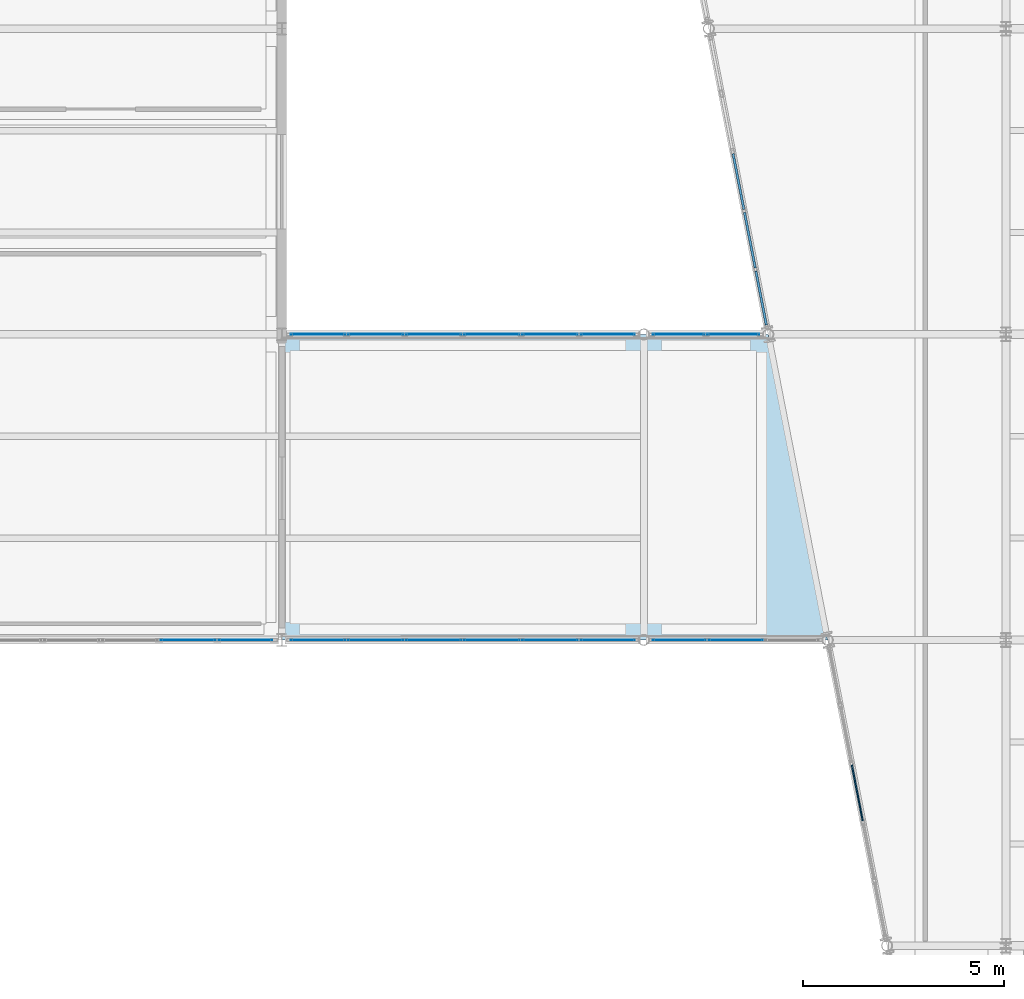
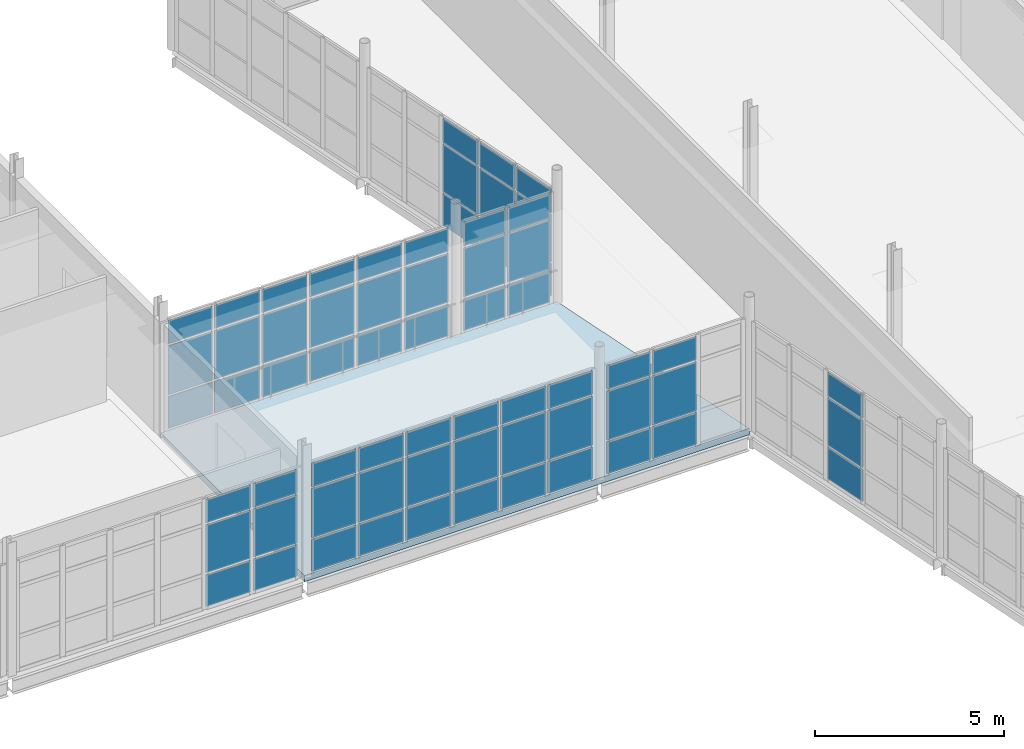
# One storey, part 139 of 174: 66 plates, 1 slab, 7 elements without a shape of their own.
"""IFC4 building model written with IfcOpenShell, lengths in metres."""

import ifcopenshell
import ifcopenshell.guid

model = None  # the IFC model being written
_history = None  # IfcOwnerHistory: only IFC2X3 demands one
_inside = {}  # id of a spatial element -> (the spatial element, [elements in it])
_under = {}  # id of a project, library or spatial element -> (it, [spatial elements below it])
_declared = {}  # id of a project -> (the project, [libraries it declares])
_typed = {}  # id of a type object -> (the type object, [elements of that type])
_made_of = {}  # id of a material, layer set ... -> (it, [elements and type objects made of it])


def new_model(schema):
    """Start an empty IFC model of exactly this schema.

    Asked for "IFC4X3", IfcOpenShell would pick the latest addendum, in which some entities
    have other attributes; the version numbers below select the first issue.
    IFC2X3 requires an IfcOwnerHistory on every rooted entity: one is made here for all.
    """
    global model, _history
    if schema == "IFC4X3":
        model = ifcopenshell.file(schema_version=(4, 3, 0, 0))
    else:
        model = ifcopenshell.file(schema=schema)
    _inside.clear()
    _under.clear()
    _declared.clear()
    _typed.clear()
    _made_of.clear()
    _history = None
    if model.schema == "IFC2X3":
        org = make("IfcOrganization", Name="unknown")
        user = make(
            "IfcPersonAndOrganization",
            ThePerson=make("IfcPerson", FamilyName="unknown"),
            TheOrganization=org,
        )
        app = make(
            "IfcApplication",
            ApplicationDeveloper=org,
            Version="unknown",
            ApplicationFullName="unknown",
            ApplicationIdentifier="unknown",
        )
        _history = make(
            "IfcOwnerHistory",
            OwningUser=user,
            OwningApplication=app,
            ChangeAction="ADDED",
            CreationDate=0,
        )
    return model


def make(cls, **values):
    """One entity of the class cls with the attributes given. An attribute that is None is left unset."""
    return model.create_entity(
        cls, **{name: value for name, value in values.items() if value is not None}
    )


def rooted(cls, **values):
    """An entity with a GlobalId (a new one), such as an element, a storey or a relation."""
    return make(cls, GlobalId=ifcopenshell.guid.new(), OwnerHistory=_history, **values)


def si_unit(unit_type, name, prefix=None):
    """IfcSIUnit, for example si_unit("LENGTHUNIT", "METRE", prefix="MILLI")."""
    return make("IfcSIUnit", UnitType=unit_type, Prefix=prefix, Name=name)


def assignment(units):
    """IfcUnitAssignment: the units of a project."""
    return None if units is None else make("IfcUnitAssignment", Units=units)


def point(xyz):
    """IfcCartesianPoint."""
    return None if xyz is None else make("IfcCartesianPoint", Coordinates=xyz)


def direction(xyz):
    """IfcDirection."""
    return None if xyz is None else make("IfcDirection", DirectionRatios=xyz)


def frame(location, z_axis=None, x_axis=None):
    """IfcAxis2Placement3D, a coordinate frame: its origin and axes. An axis left out is left unset."""
    return make(
        "IfcAxis2Placement3D",
        Location=point(location),
        Axis=direction(z_axis),
        RefDirection=direction(x_axis),
    )


def frame_2d(location, x_axis=None):
    """IfcAxis2Placement2D, a coordinate frame in the plane: its origin and x axis."""
    return make(
        "IfcAxis2Placement2D", Location=point(location), RefDirection=direction(x_axis)
    )


def origin():
    """The frame at (0, 0, 0) with its axes left unset."""
    return frame((0.0, 0.0, 0.0))


def origin_2d():
    """The frame at (0, 0) in the plane with its x axis left unset."""
    return frame_2d((0.0, 0.0))


def place(relative_to, where):
    """IfcLocalPlacement: puts the frame where relative to a parent placement (None: the world)."""
    return make(
        "IfcLocalPlacement", PlacementRelTo=relative_to, RelativePlacement=where
    )


def context(
    kind, dimensions, precision=None, world=None, true_north=None, identifier=None
):
    """IfcGeometricRepresentationContext, for example the 3D "Model" context."""
    return make(
        "IfcGeometricRepresentationContext",
        ContextIdentifier=identifier,
        ContextType=kind,
        CoordinateSpaceDimension=dimensions,
        Precision=precision,
        WorldCoordinateSystem=world,
        TrueNorth=true_north,
    )


def subcontext(parent, identifier, kind, view, scale=None):
    """IfcGeometricRepresentationSubContext, for example "Body" below "Model"."""
    return make(
        "IfcGeometricRepresentationSubContext",
        ContextIdentifier=identifier,
        ContextType=kind,
        ParentContext=parent,
        TargetScale=scale,
        TargetView=view,
    )


def project(units=None, contexts=None):
    """IfcProject with its units and contexts."""
    return rooted(
        "IfcProject",
        Name="project",
        RepresentationContexts=contexts,
        UnitsInContext=assignment(units),
    )


def spatial(cls, under=None, at=None, **own):
    """A site, building, storey or space (cls), placed at a placement, below another one or the project."""
    s = rooted(cls, ObjectPlacement=at, **own)
    if under is not None:
        _under.setdefault(under.id(), (under, []))[1].append(s)
    return s


def polyline(points):
    """IfcPolyline through the points."""
    return make("IfcPolyline", Points=[point(p) for p in points])


def profile(cls, at=None, kind="AREA", **sizes):
    """A parametric profile (cls). Its sizes go by their IFC names, for example OverallWidth=200.0."""
    return make(cls, ProfileType=kind, Position=at, **sizes)


def rectangle(**sizes):
    """IfcRectangleProfileDef."""
    return profile("IfcRectangleProfileDef", **sizes)


def outline(outer, holes=None, kind="AREA"):
    """IfcArbitraryClosedProfileDef: a profile drawn as a closed curve; with holes, ...WithVoids."""
    if holes is None:
        return make("IfcArbitraryClosedProfileDef", ProfileType=kind, OuterCurve=outer)
    return make(
        "IfcArbitraryProfileDefWithVoids",
        ProfileType=kind,
        OuterCurve=outer,
        InnerCurves=holes,
    )


def extrude(swept, where, along, depth):
    """IfcExtrudedAreaSolid: the profile swept, set in the frame where, extruded along a direction by depth."""
    return make(
        "IfcExtrudedAreaSolid",
        SweptArea=swept,
        Position=where,
        ExtrudedDirection=direction(along),
        Depth=depth,
    )


def shape(context_of_items, identifier, shape_type, items):
    """IfcShapeRepresentation: the items that make up one representation, for example the "Body"."""
    return make(
        "IfcShapeRepresentation",
        ContextOfItems=context_of_items,
        RepresentationIdentifier=identifier,
        RepresentationType=shape_type,
        Items=items,
    )


def material(Name=None, Category=None):
    """IfcMaterial."""
    return make("IfcMaterial", Name=Name, Category=Category)


def layer(
    of_material, thickness, ventilated=None, Name=None, Category=None, Priority=None
):
    """IfcMaterialLayer: one layer of a wall or slab, of a material (None: an air gap)."""
    return make(
        "IfcMaterialLayer",
        Material=of_material,
        LayerThickness=thickness,
        IsVentilated=ventilated,
        Name=Name,
        Category=Category,
        Priority=Priority,
    )


def layer_set(layers, Name=None):
    """IfcMaterialLayerSet."""
    return make("IfcMaterialLayerSet", MaterialLayers=layers, LayerSetName=Name)


def made_of(thing, what):
    """Note that an element or type object is made of a material, layer set ...; save() writes the relation."""
    if what is not None:
        _made_of.setdefault(what.id(), (what, []))[1].append(thing)
    return thing


def type_object(cls, material=None, **own):
    """A type object (cls), such as IfcWallType, which elements share."""
    return made_of(rooted(cls, **own), material)


def element(
    cls,
    number,
    at=None,
    inside=None,
    cuts=None,
    type_object=None,
    material=None,
    context=None,
    identifier="Body",
    shape_type=None,
    held_by="IfcProductDefinitionShape",
    body=None,
    shapes=None,
    **own,
):
    """One element of the class cls, such as IfcWall. Its Tag is "e" and its number.

    at: its placement. inside: the storey or other place that contains it. cuts: it is an
    opening in that element (IfcRelVoidsElement). A single representation is given by context,
    identifier, shape_type and body (its items); several are given by shapes. held_by: the class
    of the entity that holds the representations. save() writes the other relations.
    """
    e = rooted(cls, Tag="e%d" % number, ObjectPlacement=at, **own)
    if body is not None:
        shapes = [shape(context, identifier, shape_type, body)]
    if shapes is not None:
        e.Representation = make(held_by, Representations=shapes)
    if inside is not None:
        _inside.setdefault(inside.id(), (inside, []))[1].append(e)
    if cuts is not None:
        rooted(
            "IfcRelVoidsElement", RelatingBuildingElement=cuts, RelatedOpeningElement=e
        )
    if type_object is not None:
        _typed.setdefault(type_object.id(), (type_object, []))[1].append(e)
    return made_of(e, material)


def aggregate(whole, parts):
    """IfcRelAggregates: a whole, such as a stair, and the parts it consists of."""
    return rooted("IfcRelAggregates", RelatingObject=whole, RelatedObjects=parts)


def save(model, path):
    """Write the relations noted so far, then the file.

    IfcRelAggregates (storeys below a building ...), IfcRelContainedInSpatialStructure (elements
    in a storey), IfcRelDefinesByType, IfcRelAssociatesMaterial and IfcRelDeclares: one each for
    every whole, place, type object, material and project.
    """
    for whole, parts in _under.values():
        aggregate(whole, parts)
    for where, things in _inside.values():
        rooted(
            "IfcRelContainedInSpatialStructure",
            RelatedElements=things,
            RelatingStructure=where,
        )
    for kind, things in _typed.values():
        rooted("IfcRelDefinesByType", RelatedObjects=things, RelatingType=kind)
    for what, things in _made_of.values():
        rooted("IfcRelAssociatesMaterial", RelatedObjects=things, RelatingMaterial=what)
    for by, libraries in _declared.values():
        rooted("IfcRelDeclares", RelatingContext=by, RelatedDefinitions=libraries)
    model.write(path)


model = new_model("IFC4")

# Units and contexts
model_context = context("Model", 3, precision=1e-05, world=origin(), true_north=direction((0.0, 1.0)))
body_context = subcontext(model_context, "Body", "Model", "MODEL_VIEW")
ifc_project = project(units=[si_unit("LENGTHUNIT", "METRE"), si_unit("AREAUNIT", "SQUARE_METRE"), si_unit("VOLUMEUNIT", "CUBIC_METRE"), si_unit("PLANEANGLEUNIT", "RADIAN"), si_unit("MASSUNIT", "GRAM", prefix="KILO")], contexts=[model_context])

# Site, building, storey
site_placement = place(None, origin())
site = spatial("IfcSite", under=ifc_project, at=site_placement, CompositionType="ELEMENT")
building_placement = place(site_placement, origin())
building = spatial("IfcBuilding", under=site, at=building_placement, Name="Caisbarro Railhouse Central Library", CompositionType="ELEMENT")
storey_placement = place(building_placement, frame((0.0, 0.0, 5.0400390625)))
storey = spatial("IfcBuildingStorey", under=building, at=storey_placement, Name="L01", CompositionType="ELEMENT", Elevation=5.0400390625)

# Curtain wall, plates
ifc_material_1 = material(Name="Anodised architectural aluminium", Category="aluminium")
curtain_wall_type_1 = type_object("IfcCurtainWallType", Name="CW-CW02", PredefinedType="NOTDEFINED", material=ifc_material_1)
curtain_wall_1_placement = place(storey_placement, origin())
curtain_wall_1 = element("IfcCurtainWall", 1, at=curtain_wall_1_placement, inside=storey, type_object=curtain_wall_type_1, Name="CW02 curtain wall L01 #178", PredefinedType="NOTDEFINED")
ifc_material_2 = material(Name="Double low-e laminated solar-control glass", Category="glass")
ifc_layer_1 = layer(ifc_material_2, 0.01806640625, Name="Double low-e laminated solar-control glass")
ifc_layer_set_1 = layer_set([ifc_layer_1], Name="Double low-e laminated solar-control glass")
plate_type_1 = type_object("IfcPlateType", Name="CWP-CP18", PredefinedType="CURTAIN_PANEL", material=ifc_layer_set_1)
plate_1_placement = place(storey_placement, frame((96.669921875, 83.60009765625, 0.06494140625), z_axis=(0.0, 0.0, 1.0), x_axis=(1.0, 0.0, 0.0)))
plate_1 = element("IfcPlate", 2, at=plate_1_placement, type_object=plate_type_1, Name="CW02 panel 5.1", PredefinedType="CURTAIN_PANEL", context=body_context, shape_type="SweptSolid", body=[
    extrude(rectangle(XDim=1.37158203125, YDim=0.01806640625, at=origin_2d()), origin(), (0.0, 0.0, 1.0), 1.0224609375),
])
plate_2_placement = place(storey_placement, frame((96.669921875, 83.60009765625, 1.152587890625), z_axis=(0.0, 0.0, 1.0), x_axis=(1.0, 0.0, 0.0)))
plate_2 = element("IfcPlate", 3, at=plate_2_placement, type_object=plate_type_1, Name="CW02 panel 5.2", PredefinedType="CURTAIN_PANEL", context=body_context, shape_type="SweptSolid", body=[
    extrude(rectangle(XDim=1.37158203125, YDim=0.01806640625, at=origin_2d()), origin(), (0.0, 0.0, 1.0), 1.544921875),
])
plate_3_placement = place(storey_placement, frame((96.669921875, 83.60009765625, 2.762451171875), z_axis=(0.0, 0.0, 1.0), x_axis=(1.0, 0.0, 0.0)))
plate_3 = element("IfcPlate", 4, at=plate_3_placement, type_object=plate_type_1, Name="CW02 panel 5.3", PredefinedType="CURTAIN_PANEL", context=body_context, shape_type="SweptSolid", body=[
    extrude(rectangle(XDim=1.37158203125, YDim=0.01806640625, at=origin_2d()), origin(), (0.0, 0.0, 1.0), 0.75244140625),
])
plate_4_placement = place(storey_placement, frame((98.097900390625, 83.60009765625, 0.06494140625), z_axis=(0.0, 0.0, 1.0), x_axis=(1.0, 0.0, 0.0)))
plate_4 = element("IfcPlate", 5, at=plate_4_placement, type_object=plate_type_1, Name="CW02 panel 6.1", PredefinedType="CURTAIN_PANEL", context=body_context, shape_type="SweptSolid", body=[
    extrude(rectangle(XDim=1.334228515625, YDim=0.01806640625, at=origin_2d()), origin(), (0.0, 0.0, 1.0), 1.0224609375),
])
plate_5_placement = place(storey_placement, frame((98.097900390625, 83.60009765625, 1.152587890625), z_axis=(0.0, 0.0, 1.0), x_axis=(1.0, 0.0, 0.0)))
plate_5 = element("IfcPlate", 6, at=plate_5_placement, type_object=plate_type_1, Name="CW02 panel 6.2", PredefinedType="CURTAIN_PANEL", context=body_context, shape_type="SweptSolid", body=[
    extrude(rectangle(XDim=1.334228515625, YDim=0.01806640625, at=origin_2d()), origin(), (0.0, 0.0, 1.0), 1.544921875),
])
plate_6_placement = place(storey_placement, frame((98.097900390625, 83.60009765625, 2.762451171875), z_axis=(0.0, 0.0, 1.0), x_axis=(1.0, 0.0, 0.0)))
plate_6 = element("IfcPlate", 7, at=plate_6_placement, type_object=plate_type_1, Name="CW02 panel 6.3", PredefinedType="CURTAIN_PANEL", context=body_context, shape_type="SweptSolid", body=[
    extrude(rectangle(XDim=1.334228515625, YDim=0.01806640625, at=origin_2d()), origin(), (0.0, 0.0, 1.0), 0.75244140625),
])
aggregate(curtain_wall_1, [plate_1, plate_2, plate_3, plate_4, plate_5, plate_6])

curtain_wall_type_2 = type_object("IfcCurtainWallType", Name="CW-CW03", PredefinedType="NOTDEFINED", material=ifc_material_1)
curtain_wall_2_placement = place(storey_placement, origin())
curtain_wall_2 = element("IfcCurtainWall", 8, at=curtain_wall_2_placement, inside=storey, type_object=curtain_wall_type_2, Name="CW03 curtain wall L01 #198", PredefinedType="NOTDEFINED")
plate_7_placement = place(storey_placement, frame((99.899658203125, 83.60009765625, 0.06494140625), z_axis=(0.0, 0.0, 1.0), x_axis=(1.0, 0.0, 0.0)))
plate_7 = element("IfcPlate", 9, at=plate_7_placement, type_object=plate_type_1, Name="CW03 panel 1.1", PredefinedType="CURTAIN_PANEL", context=body_context, shape_type="SweptSolid", body=[
    extrude(rectangle(XDim=1.34912109375, YDim=0.01806640625, at=origin_2d()), origin(), (0.0, 0.0, 1.0), 1.0224609375),
])
plate_8_placement = place(storey_placement, frame((99.899658203125, 83.60009765625, 1.15234375), z_axis=(0.0, 0.0, 1.0), x_axis=(1.0, 0.0, 0.0)))
plate_8 = element("IfcPlate", 10, at=plate_8_placement, type_object=plate_type_1, Name="CW03 panel 1.2", PredefinedType="CURTAIN_PANEL", context=body_context, shape_type="SweptSolid", body=[
    extrude(rectangle(XDim=1.34912109375, YDim=0.01806640625, at=origin_2d()), origin(), (0.0, 0.0, 1.0), 1.574951171875),
])
plate_9_placement = place(storey_placement, frame((99.899658203125, 83.60009765625, 2.79248046875), z_axis=(0.0, 0.0, 1.0), x_axis=(1.0, 0.0, 0.0)))
plate_9 = element("IfcPlate", 11, at=plate_9_placement, type_object=plate_type_1, Name="CW03 panel 1.3", PredefinedType="CURTAIN_PANEL", context=body_context, shape_type="SweptSolid", body=[
    extrude(rectangle(XDim=1.34912109375, YDim=0.01806640625, at=origin_2d()), origin(), (0.0, 0.0, 1.0), 0.75244140625),
])
plate_10_placement = place(storey_placement, frame((101.330078125, 83.60009765625, 0.06494140625), z_axis=(0.0, 0.0, 1.0), x_axis=(1.0, 0.0, 0.0)))
plate_10 = element("IfcPlate", 12, at=plate_10_placement, type_object=plate_type_1, Name="CW03 panel 2.1", PredefinedType="CURTAIN_PANEL", context=body_context, shape_type="SweptSolid", body=[
    extrude(rectangle(XDim=1.381591796875, YDim=0.01806640625, at=origin_2d()), origin(), (0.0, 0.0, 1.0), 1.0224609375),
])
plate_11_placement = place(storey_placement, frame((101.330078125, 83.60009765625, 1.15234375), z_axis=(0.0, 0.0, 1.0), x_axis=(1.0, 0.0, 0.0)))
plate_11 = element("IfcPlate", 13, at=plate_11_placement, type_object=plate_type_1, Name="CW03 panel 2.2", PredefinedType="CURTAIN_PANEL", context=body_context, shape_type="SweptSolid", body=[
    extrude(rectangle(XDim=1.381591796875, YDim=0.01806640625, at=origin_2d()), origin(), (0.0, 0.0, 1.0), 1.574951171875),
])
plate_12_placement = place(storey_placement, frame((101.330078125, 83.60009765625, 2.79248046875), z_axis=(0.0, 0.0, 1.0), x_axis=(1.0, 0.0, 0.0)))
plate_12 = element("IfcPlate", 14, at=plate_12_placement, type_object=plate_type_1, Name="CW03 panel 2.3", PredefinedType="CURTAIN_PANEL", context=body_context, shape_type="SweptSolid", body=[
    extrude(rectangle(XDim=1.381591796875, YDim=0.01806640625, at=origin_2d()), origin(), (0.0, 0.0, 1.0), 0.75244140625),
])
plate_13_placement = place(storey_placement, frame((102.776611328125, 83.60009765625, 0.06494140625), z_axis=(0.0, 0.0, 1.0), x_axis=(1.0, 0.0, 0.0)))
plate_13 = element("IfcPlate", 15, at=plate_13_placement, type_object=plate_type_1, Name="CW03 panel 3.1", PredefinedType="CURTAIN_PANEL", context=body_context, shape_type="SweptSolid", body=[
    extrude(rectangle(XDim=1.381591796875, YDim=0.01806640625, at=origin_2d()), origin(), (0.0, 0.0, 1.0), 1.0224609375),
])
plate_14_placement = place(storey_placement, frame((102.776611328125, 83.60009765625, 1.15234375), z_axis=(0.0, 0.0, 1.0), x_axis=(1.0, 0.0, 0.0)))
plate_14 = element("IfcPlate", 16, at=plate_14_placement, type_object=plate_type_1, Name="CW03 panel 3.2", PredefinedType="CURTAIN_PANEL", context=body_context, shape_type="SweptSolid", body=[
    extrude(rectangle(XDim=1.381591796875, YDim=0.01806640625, at=origin_2d()), origin(), (0.0, 0.0, 1.0), 1.574951171875),
])
plate_15_placement = place(storey_placement, frame((102.776611328125, 83.60009765625, 2.79248046875), z_axis=(0.0, 0.0, 1.0), x_axis=(1.0, 0.0, 0.0)))
plate_15 = element("IfcPlate", 17, at=plate_15_placement, type_object=plate_type_1, Name="CW03 panel 3.3", PredefinedType="CURTAIN_PANEL", context=body_context, shape_type="SweptSolid", body=[
    extrude(rectangle(XDim=1.381591796875, YDim=0.01806640625, at=origin_2d()), origin(), (0.0, 0.0, 1.0), 0.75244140625),
])
plate_16_placement = place(storey_placement, frame((104.223388671875, 83.60009765625, 0.06494140625), z_axis=(0.0, 0.0, 1.0), x_axis=(1.0, 0.0, 0.0)))
plate_16 = element("IfcPlate", 18, at=plate_16_placement, type_object=plate_type_1, Name="CW03 panel 4.1", PredefinedType="CURTAIN_PANEL", context=body_context, shape_type="SweptSolid", body=[
    extrude(rectangle(XDim=1.381591796875, YDim=0.01806640625, at=origin_2d()), origin(), (0.0, 0.0, 1.0), 1.0224609375),
])
plate_17_placement = place(storey_placement, frame((104.223388671875, 83.60009765625, 1.15234375), z_axis=(0.0, 0.0, 1.0), x_axis=(1.0, 0.0, 0.0)))
plate_17 = element("IfcPlate", 19, at=plate_17_placement, type_object=plate_type_1, Name="CW03 panel 4.2", PredefinedType="CURTAIN_PANEL", context=body_context, shape_type="SweptSolid", body=[
    extrude(rectangle(XDim=1.381591796875, YDim=0.01806640625, at=origin_2d()), origin(), (0.0, 0.0, 1.0), 1.574951171875),
])
plate_18_placement = place(storey_placement, frame((104.223388671875, 83.60009765625, 2.79248046875), z_axis=(0.0, 0.0, 1.0), x_axis=(1.0, 0.0, 0.0)))
plate_18 = element("IfcPlate", 20, at=plate_18_placement, type_object=plate_type_1, Name="CW03 panel 4.3", PredefinedType="CURTAIN_PANEL", context=body_context, shape_type="SweptSolid", body=[
    extrude(rectangle(XDim=1.381591796875, YDim=0.01806640625, at=origin_2d()), origin(), (0.0, 0.0, 1.0), 0.75244140625),
])
plate_19_placement = place(storey_placement, frame((105.669921875, 83.60009765625, 0.06494140625), z_axis=(0.0, 0.0, 1.0), x_axis=(1.0, 0.0, 0.0)))
plate_19 = element("IfcPlate", 21, at=plate_19_placement, type_object=plate_type_1, Name="CW03 panel 5.1", PredefinedType="CURTAIN_PANEL", context=body_context, shape_type="SweptSolid", body=[
    extrude(rectangle(XDim=1.381591796875, YDim=0.01806640625, at=origin_2d()), origin(), (0.0, 0.0, 1.0), 1.0224609375),
])
plate_20_placement = place(storey_placement, frame((105.669921875, 83.60009765625, 1.15234375), z_axis=(0.0, 0.0, 1.0), x_axis=(1.0, 0.0, 0.0)))
plate_20 = element("IfcPlate", 22, at=plate_20_placement, type_object=plate_type_1, Name="CW03 panel 5.2", PredefinedType="CURTAIN_PANEL", context=body_context, shape_type="SweptSolid", body=[
    extrude(rectangle(XDim=1.381591796875, YDim=0.01806640625, at=origin_2d()), origin(), (0.0, 0.0, 1.0), 1.574951171875),
])
plate_21_placement = place(storey_placement, frame((105.669921875, 83.60009765625, 2.79248046875), z_axis=(0.0, 0.0, 1.0), x_axis=(1.0, 0.0, 0.0)))
plate_21 = element("IfcPlate", 23, at=plate_21_placement, type_object=plate_type_1, Name="CW03 panel 5.3", PredefinedType="CURTAIN_PANEL", context=body_context, shape_type="SweptSolid", body=[
    extrude(rectangle(XDim=1.381591796875, YDim=0.01806640625, at=origin_2d()), origin(), (0.0, 0.0, 1.0), 0.75244140625),
])
plate_22_placement = place(storey_placement, frame((107.100341796875, 83.60009765625, 0.06494140625), z_axis=(0.0, 0.0, 1.0), x_axis=(1.0, 0.0, 0.0)))
plate_22 = element("IfcPlate", 24, at=plate_22_placement, type_object=plate_type_1, Name="CW03 panel 6.1", PredefinedType="CURTAIN_PANEL", context=body_context, shape_type="SweptSolid", body=[
    extrude(rectangle(XDim=1.34912109375, YDim=0.01806640625, at=origin_2d()), origin(), (0.0, 0.0, 1.0), 1.0224609375),
])
plate_23_placement = place(storey_placement, frame((107.100341796875, 83.60009765625, 1.15234375), z_axis=(0.0, 0.0, 1.0), x_axis=(1.0, 0.0, 0.0)))
plate_23 = element("IfcPlate", 25, at=plate_23_placement, type_object=plate_type_1, Name="CW03 panel 6.2", PredefinedType="CURTAIN_PANEL", context=body_context, shape_type="SweptSolid", body=[
    extrude(rectangle(XDim=1.34912109375, YDim=0.01806640625, at=origin_2d()), origin(), (0.0, 0.0, 1.0), 1.574951171875),
])
plate_24_placement = place(storey_placement, frame((107.100341796875, 83.60009765625, 2.79248046875), z_axis=(0.0, 0.0, 1.0), x_axis=(1.0, 0.0, 0.0)))
plate_24 = element("IfcPlate", 26, at=plate_24_placement, type_object=plate_type_1, Name="CW03 panel 6.3", PredefinedType="CURTAIN_PANEL", context=body_context, shape_type="SweptSolid", body=[
    extrude(rectangle(XDim=1.34912109375, YDim=0.01806640625, at=origin_2d()), origin(), (0.0, 0.0, 1.0), 0.75244140625),
])
aggregate(curtain_wall_2, [plate_7, plate_8, plate_9, plate_10, plate_11, plate_12, plate_13, plate_14, plate_15, plate_16, plate_17, plate_18, plate_19, plate_20, plate_21, plate_22, plate_23, plate_24])

curtain_wall_3_placement = place(storey_placement, origin())
curtain_wall_3 = element("IfcCurtainWall", 27, at=curtain_wall_3_placement, inside=storey, type_object=curtain_wall_type_2, Name="CW03 curtain wall L01 #199", PredefinedType="NOTDEFINED")
plate_25_placement = place(storey_placement, frame((108.88427734375, 83.60009765625, 0.06494140625), z_axis=(0.0, 0.0, 1.0), x_axis=(1.0, 0.0, 0.0)))
plate_25 = element("IfcPlate", 28, at=plate_25_placement, type_object=plate_type_1, Name="CW03 panel 1.1", PredefinedType="CURTAIN_PANEL", context=body_context, shape_type="SweptSolid", body=[
    extrude(rectangle(XDim=1.318603515625, YDim=0.01806640625, at=origin_2d()), origin(), (0.0, 0.0, 1.0), 1.0224609375),
])
plate_26_placement = place(storey_placement, frame((108.88427734375, 83.60009765625, 1.15234375), z_axis=(0.0, 0.0, 1.0), x_axis=(1.0, 0.0, 0.0)))
plate_26 = element("IfcPlate", 29, at=plate_26_placement, type_object=plate_type_1, Name="CW03 panel 1.2", PredefinedType="CURTAIN_PANEL", context=body_context, shape_type="SweptSolid", body=[
    extrude(rectangle(XDim=1.318603515625, YDim=0.01806640625, at=origin_2d()), origin(), (0.0, 0.0, 1.0), 1.574951171875),
])
plate_27_placement = place(storey_placement, frame((108.88427734375, 83.60009765625, 2.79248046875), z_axis=(0.0, 0.0, 1.0), x_axis=(1.0, 0.0, 0.0)))
plate_27 = element("IfcPlate", 30, at=plate_27_placement, type_object=plate_type_1, Name="CW03 panel 1.3", PredefinedType="CURTAIN_PANEL", context=body_context, shape_type="SweptSolid", body=[
    extrude(rectangle(XDim=1.318603515625, YDim=0.01806640625, at=origin_2d()), origin(), (0.0, 0.0, 1.0), 0.75244140625),
])
plate_28_placement = place(storey_placement, frame((110.283935546875, 83.60009765625, 0.06494140625), z_axis=(0.0, 0.0, 1.0), x_axis=(1.0, 0.0, 0.0)))
plate_28 = element("IfcPlate", 31, at=plate_28_placement, type_object=plate_type_1, Name="CW03 panel 2.1", PredefinedType="CURTAIN_PANEL", context=body_context, shape_type="SweptSolid", body=[
    extrude(rectangle(XDim=1.35107421875, YDim=0.01806640625, at=origin_2d()), origin(), (0.0, 0.0, 1.0), 1.0224609375),
])
plate_29_placement = place(storey_placement, frame((110.283935546875, 83.60009765625, 1.15234375), z_axis=(0.0, 0.0, 1.0), x_axis=(1.0, 0.0, 0.0)))
plate_29 = element("IfcPlate", 32, at=plate_29_placement, type_object=plate_type_1, Name="CW03 panel 2.2", PredefinedType="CURTAIN_PANEL", context=body_context, shape_type="SweptSolid", body=[
    extrude(rectangle(XDim=1.35107421875, YDim=0.01806640625, at=origin_2d()), origin(), (0.0, 0.0, 1.0), 1.574951171875),
])
plate_30_placement = place(storey_placement, frame((110.283935546875, 83.60009765625, 2.79248046875), z_axis=(0.0, 0.0, 1.0), x_axis=(1.0, 0.0, 0.0)))
plate_30 = element("IfcPlate", 33, at=plate_30_placement, type_object=plate_type_1, Name="CW03 panel 2.3", PredefinedType="CURTAIN_PANEL", context=body_context, shape_type="SweptSolid", body=[
    extrude(rectangle(XDim=1.35107421875, YDim=0.01806640625, at=origin_2d()), origin(), (0.0, 0.0, 1.0), 0.75244140625),
])
aggregate(curtain_wall_3, [plate_25, plate_26, plate_27, plate_28, plate_29, plate_30])

curtain_wall_4_placement = place(storey_placement, origin())
curtain_wall_4 = element("IfcCurtainWall", 34, at=curtain_wall_4_placement, inside=storey, type_object=curtain_wall_type_2, Name="CW03 curtain wall L01 #200", PredefinedType="NOTDEFINED")
plate_31_placement = place(storey_placement, frame((99.899658203125, 91.199951171875, 0.06494140625), z_axis=(0.0, 0.0, 1.0), x_axis=(1.0, 0.0, 0.0)))
plate_31 = element("IfcPlate", 35, at=plate_31_placement, type_object=plate_type_1, Name="CW03 panel 1.1", PredefinedType="CURTAIN_PANEL", context=body_context, shape_type="SweptSolid", body=[
    extrude(rectangle(XDim=1.34912109375, YDim=0.01806640625, at=origin_2d()), origin(), (0.0, 0.0, 1.0), 1.0224609375),
])
plate_32_placement = place(storey_placement, frame((99.899658203125, 91.199951171875, 1.15234375), z_axis=(0.0, 0.0, 1.0), x_axis=(1.0, 0.0, 0.0)))
plate_32 = element("IfcPlate", 36, at=plate_32_placement, type_object=plate_type_1, Name="CW03 panel 1.2", PredefinedType="CURTAIN_PANEL", context=body_context, shape_type="SweptSolid", body=[
    extrude(rectangle(XDim=1.34912109375, YDim=0.01806640625, at=origin_2d()), origin(), (0.0, 0.0, 1.0), 1.574951171875),
])
plate_33_placement = place(storey_placement, frame((99.899658203125, 91.199951171875, 2.79248046875), z_axis=(0.0, 0.0, 1.0), x_axis=(1.0, 0.0, 0.0)))
plate_33 = element("IfcPlate", 37, at=plate_33_placement, type_object=plate_type_1, Name="CW03 panel 1.3", PredefinedType="CURTAIN_PANEL", context=body_context, shape_type="SweptSolid", body=[
    extrude(rectangle(XDim=1.34912109375, YDim=0.01806640625, at=origin_2d()), origin(), (0.0, 0.0, 1.0), 0.75244140625),
])
plate_34_placement = place(storey_placement, frame((101.330078125, 91.199951171875, 0.06494140625), z_axis=(0.0, 0.0, 1.0), x_axis=(1.0, 0.0, 0.0)))
plate_34 = element("IfcPlate", 38, at=plate_34_placement, type_object=plate_type_1, Name="CW03 panel 2.1", PredefinedType="CURTAIN_PANEL", context=body_context, shape_type="SweptSolid", body=[
    extrude(rectangle(XDim=1.381591796875, YDim=0.01806640625, at=origin_2d()), origin(), (0.0, 0.0, 1.0), 1.0224609375),
])
plate_35_placement = place(storey_placement, frame((101.330078125, 91.199951171875, 1.15234375), z_axis=(0.0, 0.0, 1.0), x_axis=(1.0, 0.0, 0.0)))
plate_35 = element("IfcPlate", 39, at=plate_35_placement, type_object=plate_type_1, Name="CW03 panel 2.2", PredefinedType="CURTAIN_PANEL", context=body_context, shape_type="SweptSolid", body=[
    extrude(rectangle(XDim=1.381591796875, YDim=0.01806640625, at=origin_2d()), origin(), (0.0, 0.0, 1.0), 1.574951171875),
])
plate_36_placement = place(storey_placement, frame((101.330078125, 91.199951171875, 2.79248046875), z_axis=(0.0, 0.0, 1.0), x_axis=(1.0, 0.0, 0.0)))
plate_36 = element("IfcPlate", 40, at=plate_36_placement, type_object=plate_type_1, Name="CW03 panel 2.3", PredefinedType="CURTAIN_PANEL", context=body_context, shape_type="SweptSolid", body=[
    extrude(rectangle(XDim=1.381591796875, YDim=0.01806640625, at=origin_2d()), origin(), (0.0, 0.0, 1.0), 0.75244140625),
])
plate_37_placement = place(storey_placement, frame((102.776611328125, 91.199951171875, 0.06494140625), z_axis=(0.0, 0.0, 1.0), x_axis=(1.0, 0.0, 0.0)))
plate_37 = element("IfcPlate", 41, at=plate_37_placement, type_object=plate_type_1, Name="CW03 panel 3.1", PredefinedType="CURTAIN_PANEL", context=body_context, shape_type="SweptSolid", body=[
    extrude(rectangle(XDim=1.381591796875, YDim=0.01806640625, at=origin_2d()), origin(), (0.0, 0.0, 1.0), 1.0224609375),
])
plate_38_placement = place(storey_placement, frame((102.776611328125, 91.199951171875, 1.15234375), z_axis=(0.0, 0.0, 1.0), x_axis=(1.0, 0.0, 0.0)))
plate_38 = element("IfcPlate", 42, at=plate_38_placement, type_object=plate_type_1, Name="CW03 panel 3.2", PredefinedType="CURTAIN_PANEL", context=body_context, shape_type="SweptSolid", body=[
    extrude(rectangle(XDim=1.381591796875, YDim=0.01806640625, at=origin_2d()), origin(), (0.0, 0.0, 1.0), 1.574951171875),
])
plate_39_placement = place(storey_placement, frame((102.776611328125, 91.199951171875, 2.79248046875), z_axis=(0.0, 0.0, 1.0), x_axis=(1.0, 0.0, 0.0)))
plate_39 = element("IfcPlate", 43, at=plate_39_placement, type_object=plate_type_1, Name="CW03 panel 3.3", PredefinedType="CURTAIN_PANEL", context=body_context, shape_type="SweptSolid", body=[
    extrude(rectangle(XDim=1.381591796875, YDim=0.01806640625, at=origin_2d()), origin(), (0.0, 0.0, 1.0), 0.75244140625),
])
plate_40_placement = place(storey_placement, frame((104.223388671875, 91.199951171875, 0.06494140625), z_axis=(0.0, 0.0, 1.0), x_axis=(1.0, 0.0, 0.0)))
plate_40 = element("IfcPlate", 44, at=plate_40_placement, type_object=plate_type_1, Name="CW03 panel 4.1", PredefinedType="CURTAIN_PANEL", context=body_context, shape_type="SweptSolid", body=[
    extrude(rectangle(XDim=1.381591796875, YDim=0.01806640625, at=origin_2d()), origin(), (0.0, 0.0, 1.0), 1.0224609375),
])
plate_41_placement = place(storey_placement, frame((104.223388671875, 91.199951171875, 1.15234375), z_axis=(0.0, 0.0, 1.0), x_axis=(1.0, 0.0, 0.0)))
plate_41 = element("IfcPlate", 45, at=plate_41_placement, type_object=plate_type_1, Name="CW03 panel 4.2", PredefinedType="CURTAIN_PANEL", context=body_context, shape_type="SweptSolid", body=[
    extrude(rectangle(XDim=1.381591796875, YDim=0.01806640625, at=origin_2d()), origin(), (0.0, 0.0, 1.0), 1.574951171875),
])
plate_42_placement = place(storey_placement, frame((104.223388671875, 91.199951171875, 2.79248046875), z_axis=(0.0, 0.0, 1.0), x_axis=(1.0, 0.0, 0.0)))
plate_42 = element("IfcPlate", 46, at=plate_42_placement, type_object=plate_type_1, Name="CW03 panel 4.3", PredefinedType="CURTAIN_PANEL", context=body_context, shape_type="SweptSolid", body=[
    extrude(rectangle(XDim=1.381591796875, YDim=0.01806640625, at=origin_2d()), origin(), (0.0, 0.0, 1.0), 0.75244140625),
])
plate_43_placement = place(storey_placement, frame((105.669921875, 91.199951171875, 0.06494140625), z_axis=(0.0, 0.0, 1.0), x_axis=(1.0, 0.0, 0.0)))
plate_43 = element("IfcPlate", 47, at=plate_43_placement, type_object=plate_type_1, Name="CW03 panel 5.1", PredefinedType="CURTAIN_PANEL", context=body_context, shape_type="SweptSolid", body=[
    extrude(rectangle(XDim=1.381591796875, YDim=0.01806640625, at=origin_2d()), origin(), (0.0, 0.0, 1.0), 1.0224609375),
])
plate_44_placement = place(storey_placement, frame((105.669921875, 91.199951171875, 1.15234375), z_axis=(0.0, 0.0, 1.0), x_axis=(1.0, 0.0, 0.0)))
plate_44 = element("IfcPlate", 48, at=plate_44_placement, type_object=plate_type_1, Name="CW03 panel 5.2", PredefinedType="CURTAIN_PANEL", context=body_context, shape_type="SweptSolid", body=[
    extrude(rectangle(XDim=1.381591796875, YDim=0.01806640625, at=origin_2d()), origin(), (0.0, 0.0, 1.0), 1.574951171875),
])
plate_45_placement = place(storey_placement, frame((105.669921875, 91.199951171875, 2.79248046875), z_axis=(0.0, 0.0, 1.0), x_axis=(1.0, 0.0, 0.0)))
plate_45 = element("IfcPlate", 49, at=plate_45_placement, type_object=plate_type_1, Name="CW03 panel 5.3", PredefinedType="CURTAIN_PANEL", context=body_context, shape_type="SweptSolid", body=[
    extrude(rectangle(XDim=1.381591796875, YDim=0.01806640625, at=origin_2d()), origin(), (0.0, 0.0, 1.0), 0.75244140625),
])
plate_46_placement = place(storey_placement, frame((107.100341796875, 91.199951171875, 0.06494140625), z_axis=(0.0, 0.0, 1.0), x_axis=(1.0, 0.0, 0.0)))
plate_46 = element("IfcPlate", 50, at=plate_46_placement, type_object=plate_type_1, Name="CW03 panel 6.1", PredefinedType="CURTAIN_PANEL", context=body_context, shape_type="SweptSolid", body=[
    extrude(rectangle(XDim=1.34912109375, YDim=0.01806640625, at=origin_2d()), origin(), (0.0, 0.0, 1.0), 1.0224609375),
])
plate_47_placement = place(storey_placement, frame((107.100341796875, 91.199951171875, 1.15234375), z_axis=(0.0, 0.0, 1.0), x_axis=(1.0, 0.0, 0.0)))
plate_47 = element("IfcPlate", 51, at=plate_47_placement, type_object=plate_type_1, Name="CW03 panel 6.2", PredefinedType="CURTAIN_PANEL", context=body_context, shape_type="SweptSolid", body=[
    extrude(rectangle(XDim=1.34912109375, YDim=0.01806640625, at=origin_2d()), origin(), (0.0, 0.0, 1.0), 1.574951171875),
])
plate_48_placement = place(storey_placement, frame((107.100341796875, 91.199951171875, 2.79248046875), z_axis=(0.0, 0.0, 1.0), x_axis=(1.0, 0.0, 0.0)))
plate_48 = element("IfcPlate", 52, at=plate_48_placement, type_object=plate_type_1, Name="CW03 panel 6.3", PredefinedType="CURTAIN_PANEL", context=body_context, shape_type="SweptSolid", body=[
    extrude(rectangle(XDim=1.34912109375, YDim=0.01806640625, at=origin_2d()), origin(), (0.0, 0.0, 1.0), 0.75244140625),
])
aggregate(curtain_wall_4, [plate_31, plate_32, plate_33, plate_34, plate_35, plate_36, plate_37, plate_38, plate_39, plate_40, plate_41, plate_42, plate_43, plate_44, plate_45, plate_46, plate_47, plate_48])

curtain_wall_5_placement = place(storey_placement, origin())
curtain_wall_5 = element("IfcCurtainWall", 53, at=curtain_wall_5_placement, inside=storey, type_object=curtain_wall_type_2, Name="CW03 curtain wall L01 #201", PredefinedType="NOTDEFINED")
plate_49_placement = place(storey_placement, frame((108.868896484375, 91.199951171875, 0.06494140625), z_axis=(0.0, 0.0, 1.0), x_axis=(1.0, 0.0, 0.0)))
plate_49 = element("IfcPlate", 54, at=plate_49_placement, type_object=plate_type_1, Name="CW03 panel 1.1", PredefinedType="CURTAIN_PANEL", context=body_context, shape_type="SweptSolid", body=[
    extrude(rectangle(XDim=1.2880859375, YDim=0.01806640625, at=origin_2d()), origin(), (0.0, 0.0, 1.0), 1.0224609375),
])
plate_50_placement = place(storey_placement, frame((108.868896484375, 91.199951171875, 1.15234375), z_axis=(0.0, 0.0, 1.0), x_axis=(1.0, 0.0, 0.0)))
plate_50 = element("IfcPlate", 55, at=plate_50_placement, type_object=plate_type_1, Name="CW03 panel 1.2", PredefinedType="CURTAIN_PANEL", context=body_context, shape_type="SweptSolid", body=[
    extrude(rectangle(XDim=1.2880859375, YDim=0.01806640625, at=origin_2d()), origin(), (0.0, 0.0, 1.0), 1.574951171875),
])
plate_51_placement = place(storey_placement, frame((108.868896484375, 91.199951171875, 2.79248046875), z_axis=(0.0, 0.0, 1.0), x_axis=(1.0, 0.0, 0.0)))
plate_51 = element("IfcPlate", 56, at=plate_51_placement, type_object=plate_type_1, Name="CW03 panel 1.3", PredefinedType="CURTAIN_PANEL", context=body_context, shape_type="SweptSolid", body=[
    extrude(rectangle(XDim=1.2880859375, YDim=0.01806640625, at=origin_2d()), origin(), (0.0, 0.0, 1.0), 0.75244140625),
])
plate_52_placement = place(storey_placement, frame((110.221923828125, 91.199951171875, 0.06494140625), z_axis=(0.0, 0.0, 1.0), x_axis=(1.0, 0.0, 0.0)))
plate_52 = element("IfcPlate", 57, at=plate_52_placement, type_object=plate_type_1, Name="CW03 panel 2.1", PredefinedType="CURTAIN_PANEL", context=body_context, shape_type="SweptSolid", body=[
    extrude(rectangle(XDim=1.2880859375, YDim=0.01806640625, at=origin_2d()), origin(), (0.0, 0.0, 1.0), 1.0224609375),
])
plate_53_placement = place(storey_placement, frame((110.221923828125, 91.199951171875, 1.15234375), z_axis=(0.0, 0.0, 1.0), x_axis=(1.0, 0.0, 0.0)))
plate_53 = element("IfcPlate", 58, at=plate_53_placement, type_object=plate_type_1, Name="CW03 panel 2.2", PredefinedType="CURTAIN_PANEL", context=body_context, shape_type="SweptSolid", body=[
    extrude(rectangle(XDim=1.2880859375, YDim=0.01806640625, at=origin_2d()), origin(), (0.0, 0.0, 1.0), 1.574951171875),
])
plate_54_placement = place(storey_placement, frame((110.221923828125, 91.199951171875, 2.79248046875), z_axis=(0.0, 0.0, 1.0), x_axis=(1.0, 0.0, 0.0)))
plate_54 = element("IfcPlate", 59, at=plate_54_placement, type_object=plate_type_1, Name="CW03 panel 2.3", PredefinedType="CURTAIN_PANEL", context=body_context, shape_type="SweptSolid", body=[
    extrude(rectangle(XDim=1.2880859375, YDim=0.01806640625, at=origin_2d()), origin(), (0.0, 0.0, 1.0), 0.75244140625),
])
aggregate(curtain_wall_5, [plate_49, plate_50, plate_51, plate_52, plate_53, plate_54])

curtain_wall_6_placement = place(storey_placement, origin())
curtain_wall_6 = element("IfcCurtainWall", 60, at=curtain_wall_6_placement, inside=storey, type_object=curtain_wall_type_1, Name="CW02 curtain wall L01 #112", PredefinedType="NOTDEFINED")
ifc_layer_2 = layer(ifc_material_2, 0.0380859375, Name="Double low-e laminated solar-control glass")
ifc_layer_set_2 = layer_set([ifc_layer_2], Name="Double low-e laminated solar-control glass")
plate_type_2 = type_object("IfcPlateType", Name="CWP-CP38", PredefinedType="CURTAIN_PANEL", material=ifc_layer_set_2)
plate_55_placement = place(storey_placement, frame((113.306396484375, 79.800048828125, 0.06494140625), z_axis=(0.0, 0.0, 1.0), x_axis=(-0.190780945369, 0.981632635401, 0.0)))
plate_55 = element("IfcPlate", 61, at=plate_55_placement, type_object=plate_type_2, Name="CW02 panel 3.1", PredefinedType="CURTAIN_PANEL", context=body_context, shape_type="SweptSolid", body=[
    extrude(rectangle(XDim=1.409423828125, YDim=0.0380859375, at=origin_2d()), origin(), (0.0, 0.0, 1.0), 1.0224609375),
])
plate_56_placement = place(storey_placement, frame((113.306396484375, 79.800048828125, 1.152587890625), z_axis=(0.0, 0.0, 1.0), x_axis=(-0.190780945369, 0.981632635401, 0.0)))
plate_56 = element("IfcPlate", 62, at=plate_56_placement, type_object=plate_type_2, Name="CW02 panel 3.2", PredefinedType="CURTAIN_PANEL", context=body_context, shape_type="SweptSolid", body=[
    extrude(rectangle(XDim=1.409423828125, YDim=0.0380859375, at=origin_2d()), origin(), (0.0, 0.0, 1.0), 1.52490234375),
])
plate_57_placement = place(storey_placement, frame((113.306396484375, 79.800048828125, 2.742431640625), z_axis=(0.0, 0.0, 1.0), x_axis=(-0.190780945369, 0.981632635401, 0.0)))
plate_57 = element("IfcPlate", 63, at=plate_57_placement, type_object=plate_type_2, Name="CW02 panel 3.3", PredefinedType="CURTAIN_PANEL", context=body_context, shape_type="SweptSolid", body=[
    extrude(rectangle(XDim=1.409423828125, YDim=0.0380859375, at=origin_2d()), origin(), (0.0, 0.0, 1.0), 0.75244140625),
])
aggregate(curtain_wall_6, [plate_55, plate_56, plate_57])

curtain_wall_7_placement = place(storey_placement, origin())
curtain_wall_7 = element("IfcCurtainWall", 64, at=curtain_wall_7_placement, inside=storey, type_object=curtain_wall_type_1, Name="CW02 curtain wall L01 #113", PredefinedType="NOTDEFINED")
ifc_layer_3 = layer(ifc_material_2, 0.05810546875, Name="Double low-e laminated solar-control glass")
ifc_layer_set_3 = layer_set([ifc_layer_3], Name="Double low-e laminated solar-control glass")
plate_type_3 = type_object("IfcPlateType", Name="CWP-CP58", PredefinedType="CURTAIN_PANEL", material=ifc_layer_set_3)
plate_58_placement = place(storey_placement, frame((110.915283203125, 92.10400390625, 0.06494140625), z_axis=(0.0, 0.0, 1.0), x_axis=(-0.190780945369, 0.981632635401, 0.0)))
plate_58 = element("IfcPlate", 65, at=plate_58_placement, type_object=plate_type_3, Name="CW02 panel 1.1", PredefinedType="CURTAIN_PANEL", context=body_context, shape_type="SweptSolid", body=[
    extrude(rectangle(XDim=1.371826171875, YDim=0.05810546875, at=origin_2d()), origin(), (0.0, 0.0, 1.0), 1.0224609375),
])
plate_59_placement = place(storey_placement, frame((110.915283203125, 92.10400390625, 1.152587890625), z_axis=(0.0, 0.0, 1.0), x_axis=(-0.190780945369, 0.981632635401, 0.0)))
plate_59 = element("IfcPlate", 66, at=plate_59_placement, type_object=plate_type_3, Name="CW02 panel 1.2", PredefinedType="CURTAIN_PANEL", context=body_context, shape_type="SweptSolid", body=[
    extrude(rectangle(XDim=1.371826171875, YDim=0.05810546875, at=origin_2d()), origin(), (0.0, 0.0, 1.0), 1.52490234375),
])
plate_60_placement = place(storey_placement, frame((110.915283203125, 92.10400390625, 2.742431640625), z_axis=(0.0, 0.0, 1.0), x_axis=(-0.190780945369, 0.981632635401, 0.0)))
plate_60 = element("IfcPlate", 67, at=plate_60_placement, type_object=plate_type_3, Name="CW02 panel 1.3", PredefinedType="CURTAIN_PANEL", context=body_context, shape_type="SweptSolid", body=[
    extrude(rectangle(XDim=1.371826171875, YDim=0.05810546875, at=origin_2d()), origin(), (0.0, 0.0, 1.0), 0.75244140625),
])
plate_61_placement = place(storey_placement, frame((110.6357421875, 93.542724609375, 0.06494140625), z_axis=(0.0, 0.0, 1.0), x_axis=(-0.190780945369, 0.981632635401, 0.0)))
plate_61 = element("IfcPlate", 68, at=plate_61_placement, type_object=plate_type_3, Name="CW02 panel 2.1", PredefinedType="CURTAIN_PANEL", context=body_context, shape_type="SweptSolid", body=[
    extrude(rectangle(XDim=1.409423828125, YDim=0.05810546875, at=origin_2d()), origin(), (0.0, 0.0, 1.0), 1.0224609375),
])
plate_62_placement = place(storey_placement, frame((110.6357421875, 93.542724609375, 1.152587890625), z_axis=(0.0, 0.0, 1.0), x_axis=(-0.190780945369, 0.981632635401, 0.0)))
plate_62 = element("IfcPlate", 69, at=plate_62_placement, type_object=plate_type_3, Name="CW02 panel 2.2", PredefinedType="CURTAIN_PANEL", context=body_context, shape_type="SweptSolid", body=[
    extrude(rectangle(XDim=1.409423828125, YDim=0.05810546875, at=origin_2d()), origin(), (0.0, 0.0, 1.0), 1.52490234375),
])
plate_63_placement = place(storey_placement, frame((110.6357421875, 93.542724609375, 2.742431640625), z_axis=(0.0, 0.0, 1.0), x_axis=(-0.190780945369, 0.981632635401, 0.0)))
plate_63 = element("IfcPlate", 70, at=plate_63_placement, type_object=plate_type_3, Name="CW02 panel 2.3", PredefinedType="CURTAIN_PANEL", context=body_context, shape_type="SweptSolid", body=[
    extrude(rectangle(XDim=1.409423828125, YDim=0.05810546875, at=origin_2d()), origin(), (0.0, 0.0, 1.0), 0.75244140625),
])
plate_64_placement = place(storey_placement, frame((110.3525390625, 95.0, 0.06494140625), z_axis=(0.0, 0.0, 1.0), x_axis=(-0.190780945369, 0.981632635401, 0.0)))
plate_64 = element("IfcPlate", 71, at=plate_64_placement, type_object=plate_type_3, Name="CW02 panel 3.1", PredefinedType="CURTAIN_PANEL", context=body_context, shape_type="SweptSolid", body=[
    extrude(rectangle(XDim=1.409423828125, YDim=0.05810546875, at=origin_2d()), origin(), (0.0, 0.0, 1.0), 1.0224609375),
])
plate_65_placement = place(storey_placement, frame((110.3525390625, 95.0, 1.152587890625), z_axis=(0.0, 0.0, 1.0), x_axis=(-0.190780945369, 0.981632635401, 0.0)))
plate_65 = element("IfcPlate", 72, at=plate_65_placement, type_object=plate_type_3, Name="CW02 panel 3.2", PredefinedType="CURTAIN_PANEL", context=body_context, shape_type="SweptSolid", body=[
    extrude(rectangle(XDim=1.409423828125, YDim=0.05810546875, at=origin_2d()), origin(), (0.0, 0.0, 1.0), 1.52490234375),
])
plate_66_placement = place(storey_placement, frame((110.3525390625, 95.0, 2.742431640625), z_axis=(0.0, 0.0, 1.0), x_axis=(-0.190780945369, 0.981632635401, 0.0)))
plate_66 = element("IfcPlate", 73, at=plate_66_placement, type_object=plate_type_3, Name="CW02 panel 3.3", PredefinedType="CURTAIN_PANEL", context=body_context, shape_type="SweptSolid", body=[
    extrude(rectangle(XDim=1.409423828125, YDim=0.05810546875, at=origin_2d()), origin(), (0.0, 0.0, 1.0), 0.75244140625),
])
aggregate(curtain_wall_7, [plate_58, plate_59, plate_60, plate_61, plate_62, plate_63, plate_64, plate_65, plate_66])

# Slab
ifc_material_3 = material(Name="Concrete C35", Category="concrete")
ifc_layer_4 = layer(ifc_material_3, 0.199951171875, Name="Concrete C35")
ifc_layer_set_4 = layer_set([ifc_layer_4], Name="Concrete C35")
slab_type = type_object("IfcSlabType", Name="SLB-FL20", PredefinedType="FLOOR", material=ifc_layer_set_4)
slab_placement = place(storey_placement, frame((0.0, 0.0, -0.199951171875)))
element("IfcSlab", 74, at=slab_placement, inside=storey, type_object=slab_type, Name="Courtyard Bridge Floor Slab BRG-E L01", PredefinedType="FLOOR", context=body_context, shape_type="SweptSolid", body=[
    extrude(outline(polyline([(99.0, 83.60009765625), (112.568115234375, 83.60009765625), (111.091064453125, 91.199951171875), (99.0, 91.199951171875), (99.0, 83.60009765625)])), origin(), (0.0, 0.0, 1.0), 0.199951171875),
])

save(model, "model.ifc")
